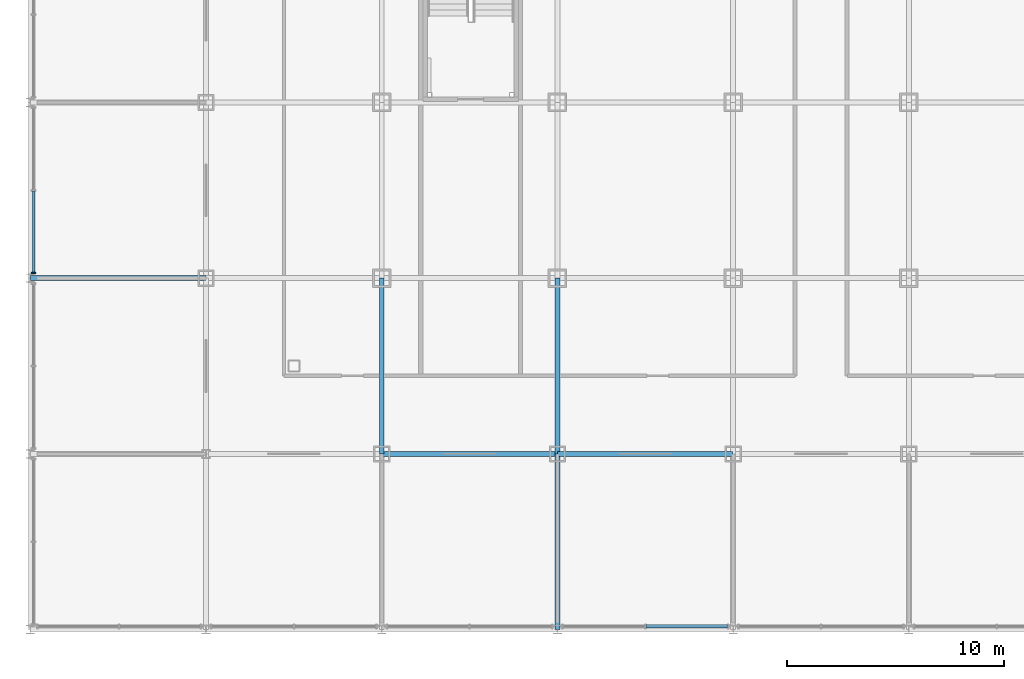
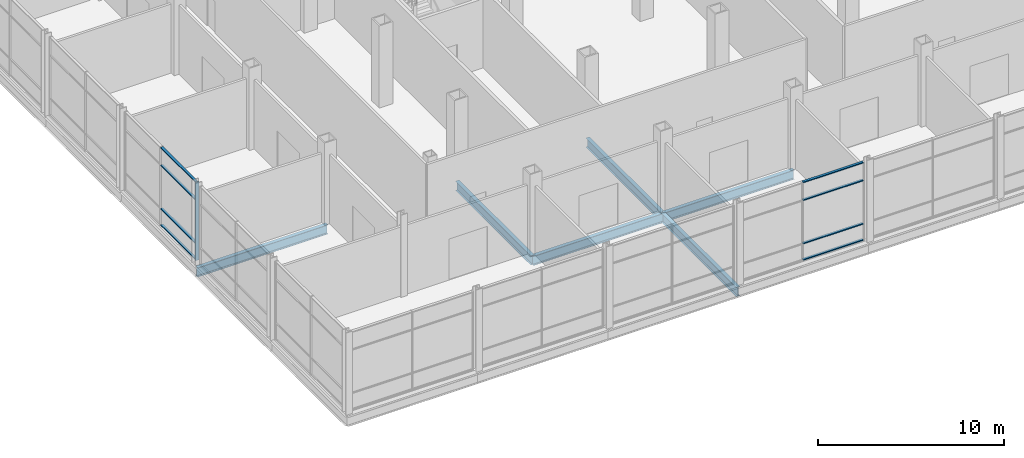
# One storey, part 10 of 30: 9 members, 6 beams, 2 elements without a shape of their own.
"""IFC4 building model written with IfcOpenShell, lengths in metres."""

from ifc_helpers import new_model, si_unit, direction, frame, origin, origin_2d, place, context, subcontext, project, spatial, rectangle, i_section, extrude, material, material_profile, profile_set, type_object, element, aggregate, save


model = new_model("IFC4")

# Units and contexts
model_context = context("Model", 3, precision=1e-05, world=origin(), true_north=direction((0.0, 1.0)))
body_context = subcontext(model_context, "Body", "Model", "MODEL_VIEW")
ifc_project = project(units=[si_unit("LENGTHUNIT", "METRE"), si_unit("AREAUNIT", "SQUARE_METRE"), si_unit("VOLUMEUNIT", "CUBIC_METRE"), si_unit("PLANEANGLEUNIT", "RADIAN"), si_unit("MASSUNIT", "GRAM", prefix="KILO")], contexts=[model_context])

# Site, building, storey
site_placement = place(None, origin())
site = spatial("IfcSite", under=ifc_project, at=site_placement, CompositionType="ELEMENT")
building_placement = place(site_placement, origin())
building = spatial("IfcBuilding", under=site, at=building_placement, Name="Kopane Lantern Tower", CompositionType="ELEMENT")
storey_placement = place(building_placement, frame((0.0, 0.0, 6.0)))
storey = spatial("IfcBuildingStorey", under=building, at=storey_placement, Name="L01", CompositionType="ELEMENT", Elevation=6.0)

# Beams
ifc_material_1 = material(Name="Steel S355JR", Category="steel")
ifc_material_profile_1 = material_profile(ifc_material_1, i_section(OverallWidth=0.22900390625, OverallDepth=0.6123046875, WebThickness=0.011962890625, FlangeThickness=0.01953125, FilletRadius=0.0126953125, at=origin_2d()), Name="UB 610x229x125")
ifc_profile_set_1 = profile_set([ifc_material_profile_1], Name="Steel S355JR")
beam_type = type_object("IfcBeamType", Name="GIRDER UB 610x229x125", PredefinedType="BEAM", material=ifc_profile_set_1)
for number, where, z_axis, x_axis, name in (
    (1, (-8.10009765625, 8.10009765625, -0.55615234375), (1.0, 0.0, 0.0), (0.0, 1.0, 0.0), "Girder L01"),
    (2, (8.10009765625, 0.0, -0.55615234375), (0.0, 1.0, 0.0), (-1.0, 0.0, 0.0), "Girder L01"),
):
    element("IfcBeam", number, at=place(storey_placement, frame(where, z_axis=z_axis, x_axis=x_axis)), inside=storey, type_object=beam_type, Name=name, PredefinedType="BEAM", context=body_context, shape_type="SweptSolid", body=[
        extrude(i_section(OverallWidth=0.22900390625, OverallDepth=0.6123046875, WebThickness=0.011962890625, FlangeThickness=0.01953125, FilletRadius=0.0126953125, at=origin_2d()), origin(), (0.0, 0.0, 1.0), 8.10009765625),
    ])
beam_placement = place(storey_placement, frame((8.10009765625, 0.0, -0.55615234375), z_axis=(1.0, 0.0, 0.0), x_axis=(0.0, 1.0, 0.0)))
element("IfcBeam", 3, at=beam_placement, inside=storey, type_object=beam_type, Name="Girder L01", PredefinedType="BEAM", context=body_context, shape_type="SweptSolid", body=[
    extrude(i_section(OverallWidth=0.22900390625, OverallDepth=0.6123046875, WebThickness=0.011962890625, FlangeThickness=0.01953125, FilletRadius=0.0126953125, at=origin_2d()), origin(), (0.0, 0.0, 1.0), 8.099853515625),
])
for number, where, z_axis, x_axis, name in (
    (4, (16.199951171875, -8.10009765625, -0.55615234375), (0.0, 1.0, 0.0), (-1.0, 0.0, 0.0), "Girder L01"),
    (5, (16.199951171875, 0.0, -0.55615234375), (0.0, 1.0, 0.0), (-1.0, 0.0, 0.0), "Girder L01"),
    (6, (16.199951171875, 0.0, -0.55615234375), (1.0, 0.0, 0.0), (0.0, 1.0, 0.0), "Girder L01"),
):
    element("IfcBeam", number, at=place(storey_placement, frame(where, z_axis=z_axis, x_axis=x_axis)), inside=storey, type_object=beam_type, Name=name, PredefinedType="BEAM", context=body_context, shape_type="SweptSolid", body=[
        extrude(i_section(OverallWidth=0.22900390625, OverallDepth=0.6123046875, WebThickness=0.011962890625, FlangeThickness=0.01953125, FilletRadius=0.0126953125, at=origin_2d()), origin(), (0.0, 0.0, 1.0), 8.10009765625),
    ])

# Curtain wall, member
ifc_material_2 = material(Name="Aluminium and clear glass", Category="aluminium")
curtain_wall_type = type_object("IfcCurtainWallType", Name="CURTAIN WALL CW1 PODIUM STOREFRONT", PredefinedType="USERDEFINED", material=ifc_material_2)
curtain_wall_1_placement = place(storey_placement, origin())
curtain_wall_1 = element("IfcCurtainWall", 7, at=curtain_wall_1_placement, inside=storey, type_object=curtain_wall_type, Name="Curtain wall CW1 W L01", ObjectType="CURTAIN WALL", PredefinedType="USERDEFINED")
ifc_material_3 = material(Name="Aluminium", Category="aluminium")
ifc_material_profile_2 = material_profile(ifc_material_3, rectangle(XDim=0.06494140625, YDim=0.199951171875, at=origin_2d()), Name="AL 65x200")
ifc_profile_set_2 = profile_set([ifc_material_profile_2], Name="Aluminium")
member_type_1 = type_object("IfcMemberType", Name="MULLION CW1-M 65x200", PredefinedType="MULLION", material=ifc_profile_set_2)
member_1_placement = place(storey_placement, frame((-7.949951171875, 8.3408203125, 0.0), z_axis=(0.0, 0.0, 1.0), x_axis=(0.0, -1.0, 0.0)))
member_1 = element("IfcMember", 8, at=member_1_placement, type_object=member_type_1, Name="CW1 mullion 3", PredefinedType="MULLION", context=body_context, shape_type="SweptSolid", body=[
    extrude(rectangle(XDim=0.06494140625, YDim=0.199951171875, at=origin_2d()), origin(), (0.0, 0.0, 1.0), 5.14990234375),
])

# Curtain wall, members
curtain_wall_2_placement = place(storey_placement, origin())
curtain_wall_2 = element("IfcCurtainWall", 9, at=curtain_wall_2_placement, inside=storey, type_object=curtain_wall_type, Name="Curtain wall CW1 S L01", ObjectType="CURTAIN WALL", PredefinedType="USERDEFINED")
ifc_material_4 = material(Name="Aluminium", Category="aluminium")
ifc_material_profile_3 = material_profile(ifc_material_4, rectangle(XDim=0.14990234375, YDim=0.06494140625, at=origin_2d()), Name="AL 150x65")
ifc_profile_set_3 = profile_set([ifc_material_profile_3], Name="Aluminium")
member_type_2 = type_object("IfcMemberType", Name="TRANSOM CW1-T 65x150", PredefinedType="USERDEFINED", material=ifc_profile_set_3)
member_2_placement = place(storey_placement, frame((20.282470703125, -7.949951171875, 0.032470703125), z_axis=(1.0, 0.0, 0.0), x_axis=(0.0, 1.0, 0.0)))
member_2 = element("IfcMember", 10, at=member_2_placement, type_object=member_type_2, Name="CW1 transom 2.1", ObjectType="TRANSOM", PredefinedType="USERDEFINED", context=body_context, shape_type="SweptSolid", body=[
    extrude(rectangle(XDim=0.14990234375, YDim=0.06494140625, at=origin_2d()), origin(), (0.0, 0.0, 1.0), 3.74609375),
])
member_3_placement = place(storey_placement, frame((20.282470703125, -7.949951171875, 1.10009765625), z_axis=(1.0, 0.0, 0.0), x_axis=(0.0, 1.0, 0.0)))
member_3 = element("IfcMember", 11, at=member_3_placement, type_object=member_type_2, Name="CW1 transom 2.2", ObjectType="TRANSOM", PredefinedType="USERDEFINED", context=body_context, shape_type="SweptSolid", body=[
    extrude(rectangle(XDim=0.14990234375, YDim=0.06494140625, at=origin_2d()), origin(), (0.0, 0.0, 1.0), 3.74609375),
])
member_4_placement = place(storey_placement, frame((20.282470703125, -7.949951171875, 3.949951171875), z_axis=(1.0, 0.0, 0.0), x_axis=(0.0, 1.0, 0.0)))
member_4 = element("IfcMember", 12, at=member_4_placement, type_object=member_type_2, Name="CW1 transom 2.3", ObjectType="TRANSOM", PredefinedType="USERDEFINED", context=body_context, shape_type="SweptSolid", body=[
    extrude(rectangle(XDim=0.14990234375, YDim=0.06494140625, at=origin_2d()), origin(), (0.0, 0.0, 1.0), 3.74609375),
])
member_5_placement = place(storey_placement, frame((20.282470703125, -7.949951171875, 5.117431640625), z_axis=(1.0, 0.0, 0.0), x_axis=(0.0, 1.0, 0.0)))
member_5 = element("IfcMember", 13, at=member_5_placement, type_object=member_type_2, Name="CW1 transom 2.4", ObjectType="TRANSOM", PredefinedType="USERDEFINED", context=body_context, shape_type="SweptSolid", body=[
    extrude(rectangle(XDim=0.14990234375, YDim=0.06494140625, at=origin_2d()), origin(), (0.0, 0.0, 1.0), 3.74609375),
])
aggregate(curtain_wall_2, [member_2, member_3, member_4, member_5])

# Member
member_6_placement = place(storey_placement, frame((-7.949951171875, 12.117431640625, 0.032470703125), z_axis=(0.0, -1.0, 0.0), x_axis=(1.0, 0.0, 0.0)))
member_6 = element("IfcMember", 14, at=member_6_placement, type_object=member_type_2, Name="CW1 transom 2.1", ObjectType="TRANSOM", PredefinedType="USERDEFINED", context=body_context, shape_type="SweptSolid", body=[
    extrude(rectangle(XDim=0.14990234375, YDim=0.06494140625, at=origin_2d()), origin(), (0.0, 0.0, 1.0), 3.744140625),
])

member_7_placement = place(storey_placement, frame((-7.949951171875, 12.117431640625, 1.10009765625), z_axis=(0.0, -1.0, 0.0), x_axis=(1.0, 0.0, 0.0)))
member_7 = element("IfcMember", 15, at=member_7_placement, type_object=member_type_2, Name="CW1 transom 2.2", ObjectType="TRANSOM", PredefinedType="USERDEFINED", context=body_context, shape_type="SweptSolid", body=[
    extrude(rectangle(XDim=0.14990234375, YDim=0.06494140625, at=origin_2d()), origin(), (0.0, 0.0, 1.0), 3.744140625),
])

member_8_placement = place(storey_placement, frame((-7.949951171875, 12.117431640625, 3.949951171875), z_axis=(0.0, -1.0, 0.0), x_axis=(1.0, 0.0, 0.0)))
member_8 = element("IfcMember", 16, at=member_8_placement, type_object=member_type_2, Name="CW1 transom 2.3", ObjectType="TRANSOM", PredefinedType="USERDEFINED", context=body_context, shape_type="SweptSolid", body=[
    extrude(rectangle(XDim=0.14990234375, YDim=0.06494140625, at=origin_2d()), origin(), (0.0, 0.0, 1.0), 3.744140625),
])

member_9_placement = place(storey_placement, frame((-7.949951171875, 12.117431640625, 5.117431640625), z_axis=(0.0, -1.0, 0.0), x_axis=(1.0, 0.0, 0.0)))
member_9 = element("IfcMember", 17, at=member_9_placement, type_object=member_type_2, Name="CW1 transom 2.4", ObjectType="TRANSOM", PredefinedType="USERDEFINED", context=body_context, shape_type="SweptSolid", body=[
    extrude(rectangle(XDim=0.14990234375, YDim=0.06494140625, at=origin_2d()), origin(), (0.0, 0.0, 1.0), 3.744140625),
])

aggregate(curtain_wall_1, [member_1, member_6, member_7, member_8, member_9])

save(model, "model.ifc")
